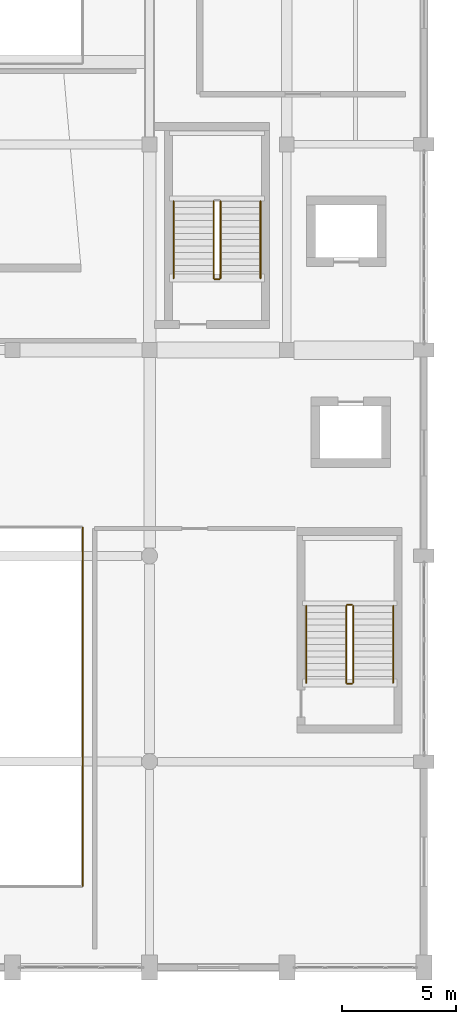
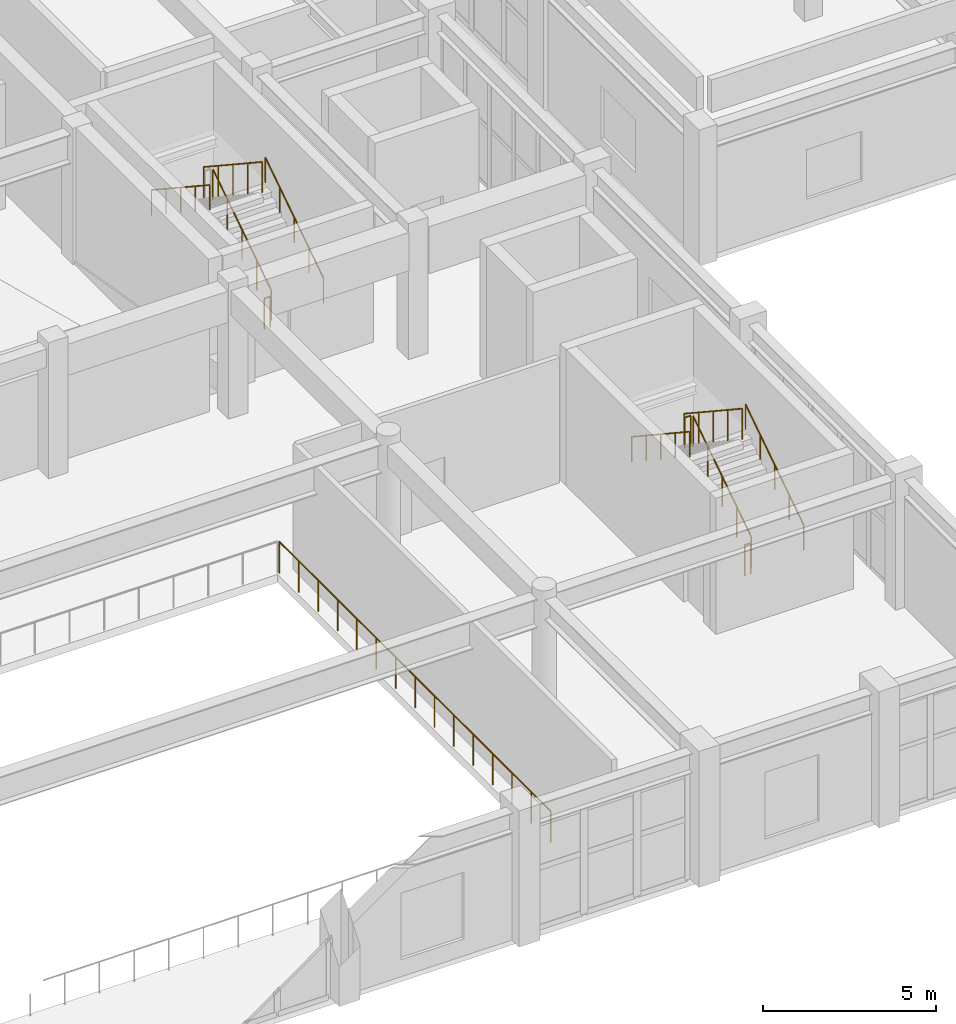
# One storey, part 76 of 85: 12 railings.
"""IFC4 building model written with IfcOpenShell, lengths in metres."""

from ifc_helpers import new_model, si_unit, direction, frame, origin, origin_2d, place, context, subcontext, project, spatial, circle, extrude, material, type_object, element, save


model = new_model("IFC4")

# Units and contexts
model_context = context("Model", 3, precision=1e-05, world=origin(), true_north=direction((0.0, 1.0)))
body_context = subcontext(model_context, "Body", "Model", "MODEL_VIEW")
ifc_project = project(units=[si_unit("LENGTHUNIT", "METRE"), si_unit("AREAUNIT", "SQUARE_METRE"), si_unit("VOLUMEUNIT", "CUBIC_METRE"), si_unit("PLANEANGLEUNIT", "RADIAN"), si_unit("MASSUNIT", "GRAM", prefix="KILO")], contexts=[model_context])

# Site, building, storey
site_placement = place(None, origin())
site = spatial("IfcSite", under=ifc_project, at=site_placement, CompositionType="ELEMENT")
building_placement = place(site_placement, origin())
building = spatial("IfcBuilding", under=site, at=building_placement, Name="Vaelkrest Opera House", CompositionType="ELEMENT")
storey_placement = place(building_placement, frame((0.0, 0.0, 10.199951171875)))
storey = spatial("IfcBuildingStorey", under=building, at=storey_placement, Name="L02", CompositionType="ELEMENT", Elevation=10.199951171875)

# Railings
ifc_material = material(Name="Dark bronze anodized aluminium", Category="aluminium")
railing_type_1 = type_object("IfcRailingType", Name="BL01", PredefinedType="BALUSTRADE", material=ifc_material)
railing_1_placement = place(storey_placement, frame((15.080078125, -52.239990234375, 0.0)))
element("IfcRailing", 1, at=railing_1_placement, inside=storey, type_object=railing_type_1, Name="Atrium/stage void guard V1 L02-2 seg 2", PredefinedType="BALUSTRADE", context=body_context, shape_type="SweptSolid", body=[
    extrude(circle(Radius=0.02392578125, at=origin_2d()), frame((0.0, 0.0, 1.09619140625), z_axis=(0.0, 1.0, 0.0), x_axis=(-1.0, 0.0, 0.0)), (0.0, 0.0, 1.0), 15.679931640625),
    extrude(circle(Radius=0.02099609375, at=origin_2d()), origin(), (0.0, 0.0, 1.0), 1.072021484375),
    extrude(circle(Radius=0.02099609375, at=origin_2d()), frame((0.0, 1.1201171875, 0.0)), (0.0, 0.0, 1.0), 1.072021484375),
    extrude(circle(Radius=0.02099609375, at=origin_2d()), frame((0.0, 2.239990234375, 0.0)), (0.0, 0.0, 1.0), 1.072021484375),
    extrude(circle(Radius=0.02099609375, at=origin_2d()), frame((0.0, 3.35986328125, 0.0)), (0.0, 0.0, 1.0), 1.072021484375),
    extrude(circle(Radius=0.02099609375, at=origin_2d()), frame((0.0, 4.47998046875, 0.0)), (0.0, 0.0, 1.0), 1.072021484375),
    extrude(circle(Radius=0.02099609375, at=origin_2d()), frame((0.0, 5.60009765625, 0.0)), (0.0, 0.0, 1.0), 1.072021484375),
    extrude(circle(Radius=0.02099609375, at=origin_2d()), frame((0.0, 6.719970703125, 0.0)), (0.0, 0.0, 1.0), 1.072021484375),
    extrude(circle(Radius=0.02099609375, at=origin_2d()), frame((0.0, 7.83984375, 0.0)), (0.0, 0.0, 1.0), 1.072021484375),
    extrude(circle(Radius=0.02099609375, at=origin_2d()), frame((0.0, 8.9599609375, 0.0)), (0.0, 0.0, 1.0), 1.072021484375),
    extrude(circle(Radius=0.02099609375, at=origin_2d()), frame((0.0, 10.080078125, 0.0)), (0.0, 0.0, 1.0), 1.072021484375),
    extrude(circle(Radius=0.02099609375, at=origin_2d()), frame((0.0, 11.199951171875, 0.0)), (0.0, 0.0, 1.0), 1.072021484375),
    extrude(circle(Radius=0.02099609375, at=origin_2d()), frame((0.0, 12.31982421875, 0.0)), (0.0, 0.0, 1.0), 1.072021484375),
    extrude(circle(Radius=0.02099609375, at=origin_2d()), frame((0.0, 13.43994140625, 0.0)), (0.0, 0.0, 1.0), 1.072021484375),
    extrude(circle(Radius=0.02099609375, at=origin_2d()), frame((0.0, 14.56005859375, 0.0)), (0.0, 0.0, 1.0), 1.072021484375),
    extrude(circle(Radius=0.02099609375, at=origin_2d()), frame((0.0, 15.679931640625, 0.0)), (0.0, 0.0, 1.0), 1.072021484375),
])
railing_type_2 = type_object("IfcRailingType", Name="GR02", PredefinedType="GUARDRAIL", material=ifc_material)
railing_2_placement = place(storey_placement, frame((21.10009765625, -25.64990234375, 0.1845703125)))
element("IfcRailing", 2, at=railing_2_placement, inside=storey, type_object=railing_type_2, Name="L02 ST02 stair guard 1", PredefinedType="GUARDRAIL", context=body_context, shape_type="SweptSolid", body=[
    extrude(circle(Radius=0.02392578125, at=origin_2d()), frame((0.0, 0.0, 1.076171875), z_axis=(0.0, 0.83483021737, 0.550507500554), x_axis=(-1.0, 0.0, 0.0)), (0.0, 0.0, 1.0), 4.024658203125),
    extrude(circle(Radius=0.02099609375, at=origin_2d()), origin(), (0.0, 0.0, 1.0), 1.052001953125),
    extrude(circle(Radius=0.02099609375, at=origin_2d()), frame((0.0, 0.83984375, 0.553955078125)), (0.0, 0.0, 1.0), 1.052001953125),
    extrude(circle(Radius=0.02099609375, at=origin_2d()), frame((0.0, 1.679931640625, 1.10791015625)), (0.0, 0.0, 1.0), 1.052001953125),
    extrude(circle(Radius=0.02099609375, at=origin_2d()), frame((0.0, 2.52001953125, 1.66162109375)), (0.0, 0.0, 1.0), 1.052001953125),
    extrude(circle(Radius=0.02099609375, at=origin_2d()), frame((0.0, 3.35986328125, 2.215576171875)), (0.0, 0.0, 1.0), 1.052001953125),
])
railing_3_placement = place(storey_placement, frame((20.800048828125, -22.2900390625, 2.584716796875)))
element("IfcRailing", 3, at=railing_3_placement, inside=storey, type_object=railing_type_2, Name="L02 ST02 stair guard 3", PredefinedType="GUARDRAIL", context=body_context, shape_type="SweptSolid", body=[
    extrude(circle(Radius=0.02392578125, at=origin_2d()), frame((0.0, 0.0, 1.076171875), z_axis=(0.0, -0.834858096282, 0.550465220583), x_axis=(1.0, 0.0, 0.0)), (0.0, 0.0, 1.0), 4.0244140625),
    extrude(circle(Radius=0.02099609375, at=origin_2d()), origin(), (0.0, 0.0, 1.0), 1.052001953125),
    extrude(circle(Radius=0.02099609375, at=origin_2d()), frame((0.0, -0.83984375, 0.5537109375)), (0.0, 0.0, 1.0), 1.052001953125),
    extrude(circle(Radius=0.02099609375, at=origin_2d()), frame((0.0, -1.679931640625, 1.107666015625)), (0.0, 0.0, 1.0), 1.052001953125),
    extrude(circle(Radius=0.02099609375, at=origin_2d()), frame((0.0, -2.52001953125, 1.66162109375)), (0.0, 0.0, 1.0), 1.052001953125),
    extrude(circle(Radius=0.02099609375, at=origin_2d()), frame((0.0, -3.35986328125, 2.21533203125)), (0.0, 0.0, 1.0), 1.052001953125),
])
railing_4_placement = place(storey_placement, frame((21.050048828125, -25.699951171875, 0.0)))
element("IfcRailing", 4, at=railing_4_placement, inside=storey, type_object=railing_type_2, Name="L02 ST02 stair guard 4", PredefinedType="GUARDRAIL", context=body_context, shape_type="SweptSolid", body=[
    extrude(circle(Radius=0.02392578125, at=origin_2d()), frame((0.0, 0.0, 1.076171875), z_axis=(-1.0, 0.0, 0.0), x_axis=(0.0, -1.0, 0.0)), (0.0, 0.0, 1.0), 0.199951171875),
    extrude(circle(Radius=0.02099609375, at=origin_2d()), origin(), (0.0, 0.0, 1.0), 1.052001953125),
    extrude(circle(Radius=0.02099609375, at=origin_2d()), frame((-0.199951171875, 0.0, 0.0)), (0.0, 0.0, 1.0), 1.052001953125),
])
railing_5_placement = place(storey_placement, frame((26.89990234375, -43.35009765625, 0.1845703125)))
element("IfcRailing", 5, at=railing_5_placement, inside=storey, type_object=railing_type_2, Name="L02 ST04 stair guard 1", PredefinedType="GUARDRAIL", context=body_context, shape_type="SweptSolid", body=[
    extrude(circle(Radius=0.02392578125, at=origin_2d()), frame((0.0, 0.0, 1.076171875), z_axis=(0.0, 0.834848600103, 0.550479622607), x_axis=(-1.0, 0.0, 0.0)), (0.0, 0.0, 1.0), 4.02490234375),
    extrude(circle(Radius=0.02099609375, at=origin_2d()), origin(), (0.0, 0.0, 1.0), 1.052001953125),
    extrude(circle(Radius=0.02099609375, at=origin_2d()), frame((0.0, 0.840087890625, 0.553955078125)), (0.0, 0.0, 1.0), 1.052001953125),
    extrude(circle(Radius=0.02099609375, at=origin_2d()), frame((0.0, 1.68017578125, 1.10791015625)), (0.0, 0.0, 1.0), 1.052001953125),
    extrude(circle(Radius=0.02099609375, at=origin_2d()), frame((0.0, 2.52001953125, 1.66162109375)), (0.0, 0.0, 1.0), 1.052001953125),
    extrude(circle(Radius=0.02099609375, at=origin_2d()), frame((0.0, 3.360107421875, 2.215576171875)), (0.0, 0.0, 1.0), 1.052001953125),
])
railing_6_placement = place(storey_placement, frame((26.85009765625, -39.93994140625, 2.400146484375)))
element("IfcRailing", 6, at=railing_6_placement, inside=storey, type_object=railing_type_2, Name="L02 ST04 stair guard 2", PredefinedType="GUARDRAIL", context=body_context, shape_type="SweptSolid", body=[
    extrude(circle(Radius=0.02392578125, at=origin_2d()), frame((0.0, 0.0, 1.076171875), z_axis=(-1.0, 0.0, 0.0), x_axis=(0.0, -1.0, 0.0)), (0.0, 0.0, 1.0), 0.2001953125),
    extrude(circle(Radius=0.02099609375, at=origin_2d()), origin(), (0.0, 0.0, 1.0), 1.052001953125),
    extrude(circle(Radius=0.02099609375, at=origin_2d()), frame((-0.2001953125, 0.0, 0.0)), (0.0, 0.0, 1.0), 1.052001953125),
])
railing_7_placement = place(storey_placement, frame((26.60009765625, -39.989990234375, 2.584716796875)))
element("IfcRailing", 7, at=railing_7_placement, inside=storey, type_object=railing_type_2, Name="L02 ST04 stair guard 3", PredefinedType="GUARDRAIL", context=body_context, shape_type="SweptSolid", body=[
    extrude(circle(Radius=0.02392578125, at=origin_2d()), frame((0.0, 0.0, 1.076171875), z_axis=(0.0, -0.834876476806, 0.550437342915), x_axis=(1.0, 0.0, 0.0)), (0.0, 0.0, 1.0), 4.024658203125),
    extrude(circle(Radius=0.02099609375, at=origin_2d()), origin(), (0.0, 0.0, 1.0), 1.052001953125),
    extrude(circle(Radius=0.02099609375, at=origin_2d()), frame((0.0, -0.840087890625, 0.5537109375)), (0.0, 0.0, 1.0), 1.052001953125),
    extrude(circle(Radius=0.02099609375, at=origin_2d()), frame((0.0, -1.68017578125, 1.107666015625)), (0.0, 0.0, 1.0), 1.052001953125),
    extrude(circle(Radius=0.02099609375, at=origin_2d()), frame((0.0, -2.52001953125, 1.66162109375)), (0.0, 0.0, 1.0), 1.052001953125),
    extrude(circle(Radius=0.02099609375, at=origin_2d()), frame((0.0, -3.360107421875, 2.21533203125)), (0.0, 0.0, 1.0), 1.052001953125),
])
railing_8_placement = place(storey_placement, frame((26.85009765625, -43.39990234375, 0.0)))
element("IfcRailing", 8, at=railing_8_placement, inside=storey, type_object=railing_type_2, Name="L02 ST04 stair guard 4", PredefinedType="GUARDRAIL", context=body_context, shape_type="SweptSolid", body=[
    extrude(circle(Radius=0.02392578125, at=origin_2d()), frame((0.0, 0.0, 1.076171875), z_axis=(-1.0, 0.0, 0.0), x_axis=(0.0, -1.0, 0.0)), (0.0, 0.0, 1.0), 0.2001953125),
    extrude(circle(Radius=0.02099609375, at=origin_2d()), origin(), (0.0, 0.0, 1.0), 1.052001953125),
    extrude(circle(Radius=0.02099609375, at=origin_2d()), frame((-0.2001953125, 0.0, 0.0)), (0.0, 0.0, 1.0), 1.052001953125),
])
railing_type_3 = type_object("IfcRailingType", Name="HR02", PredefinedType="HANDRAIL", material=ifc_material)
railing_9_placement = place(storey_placement, frame((22.85009765625, -25.64990234375, 0.1845703125)))
element("IfcRailing", 9, at=railing_9_placement, inside=storey, type_object=railing_type_3, Name="L02 ST02 stair handrail 1", PredefinedType="HANDRAIL", context=body_context, shape_type="SweptSolid", body=[
    extrude(circle(Radius=0.02392578125, at=origin_2d()), frame((0.0, 0.0, 0.8759765625), z_axis=(0.0, 0.83483021737, 0.550507500554), x_axis=(-1.0, 0.0, 0.0)), (0.0, 0.0, 1.0), 4.024658203125),
    extrude(circle(Radius=0.02099609375, at=origin_2d()), origin(), (0.0, 0.0, 1.0), 0.851806640625),
    extrude(circle(Radius=0.02099609375, at=origin_2d()), frame((0.0, 0.83984375, 0.553955078125)), (0.0, 0.0, 1.0), 0.851806640625),
    extrude(circle(Radius=0.02099609375, at=origin_2d()), frame((0.0, 1.679931640625, 1.10791015625)), (0.0, 0.0, 1.0), 0.851806640625),
    extrude(circle(Radius=0.02099609375, at=origin_2d()), frame((0.0, 2.52001953125, 1.66162109375)), (0.0, 0.0, 1.0), 0.851806640625),
    extrude(circle(Radius=0.02099609375, at=origin_2d()), frame((0.0, 3.35986328125, 2.215576171875)), (0.0, 0.0, 1.0), 0.851806640625),
])
railing_10_placement = place(storey_placement, frame((19.050048828125, -22.2900390625, 2.584716796875)))
element("IfcRailing", 10, at=railing_10_placement, inside=storey, type_object=railing_type_3, Name="L02 ST02 stair handrail 2", PredefinedType="HANDRAIL", context=body_context, shape_type="SweptSolid", body=[
    extrude(circle(Radius=0.02392578125, at=origin_2d()), frame((0.0, 0.0, 0.8759765625), z_axis=(0.0, -0.834858096282, 0.550465220583), x_axis=(1.0, 0.0, 0.0)), (0.0, 0.0, 1.0), 4.0244140625),
    extrude(circle(Radius=0.02099609375, at=origin_2d()), origin(), (0.0, 0.0, 1.0), 0.851806640625),
    extrude(circle(Radius=0.02099609375, at=origin_2d()), frame((0.0, -0.83984375, 0.5537109375)), (0.0, 0.0, 1.0), 0.851806640625),
    extrude(circle(Radius=0.02099609375, at=origin_2d()), frame((0.0, -1.679931640625, 1.107666015625)), (0.0, 0.0, 1.0), 0.851806640625),
    extrude(circle(Radius=0.02099609375, at=origin_2d()), frame((0.0, -2.52001953125, 1.66162109375)), (0.0, 0.0, 1.0), 0.851806640625),
    extrude(circle(Radius=0.02099609375, at=origin_2d()), frame((0.0, -3.35986328125, 2.21533203125)), (0.0, 0.0, 1.0), 0.851806640625),
])
railing_11_placement = place(storey_placement, frame((28.64990234375, -43.35009765625, 0.1845703125)))
element("IfcRailing", 11, at=railing_11_placement, inside=storey, type_object=railing_type_3, Name="L02 ST04 stair handrail 1", PredefinedType="HANDRAIL", context=body_context, shape_type="SweptSolid", body=[
    extrude(circle(Radius=0.02392578125, at=origin_2d()), frame((0.0, 0.0, 0.8759765625), z_axis=(0.0, 0.834848600103, 0.550479622607), x_axis=(-1.0, 0.0, 0.0)), (0.0, 0.0, 1.0), 4.02490234375),
    extrude(circle(Radius=0.02099609375, at=origin_2d()), origin(), (0.0, 0.0, 1.0), 0.851806640625),
    extrude(circle(Radius=0.02099609375, at=origin_2d()), frame((0.0, 0.840087890625, 0.553955078125)), (0.0, 0.0, 1.0), 0.851806640625),
    extrude(circle(Radius=0.02099609375, at=origin_2d()), frame((0.0, 1.68017578125, 1.10791015625)), (0.0, 0.0, 1.0), 0.851806640625),
    extrude(circle(Radius=0.02099609375, at=origin_2d()), frame((0.0, 2.52001953125, 1.66162109375)), (0.0, 0.0, 1.0), 0.851806640625),
    extrude(circle(Radius=0.02099609375, at=origin_2d()), frame((0.0, 3.360107421875, 2.215576171875)), (0.0, 0.0, 1.0), 0.851806640625),
])
railing_12_placement = place(storey_placement, frame((24.85009765625, -39.989990234375, 2.584716796875)))
element("IfcRailing", 12, at=railing_12_placement, inside=storey, type_object=railing_type_3, Name="L02 ST04 stair handrail 2", PredefinedType="HANDRAIL", context=body_context, shape_type="SweptSolid", body=[
    extrude(circle(Radius=0.02392578125, at=origin_2d()), frame((0.0, 0.0, 0.8759765625), z_axis=(0.0, -0.834876476806, 0.550437342915), x_axis=(1.0, 0.0, 0.0)), (0.0, 0.0, 1.0), 4.024658203125),
    extrude(circle(Radius=0.02099609375, at=origin_2d()), origin(), (0.0, 0.0, 1.0), 0.851806640625),
    extrude(circle(Radius=0.02099609375, at=origin_2d()), frame((0.0, -0.840087890625, 0.5537109375)), (0.0, 0.0, 1.0), 0.851806640625),
    extrude(circle(Radius=0.02099609375, at=origin_2d()), frame((0.0, -1.68017578125, 1.107666015625)), (0.0, 0.0, 1.0), 0.851806640625),
    extrude(circle(Radius=0.02099609375, at=origin_2d()), frame((0.0, -2.52001953125, 1.66162109375)), (0.0, 0.0, 1.0), 0.851806640625),
    extrude(circle(Radius=0.02099609375, at=origin_2d()), frame((0.0, -3.360107421875, 2.21533203125)), (0.0, 0.0, 1.0), 0.851806640625),
])

save(model, "model.ifc")
